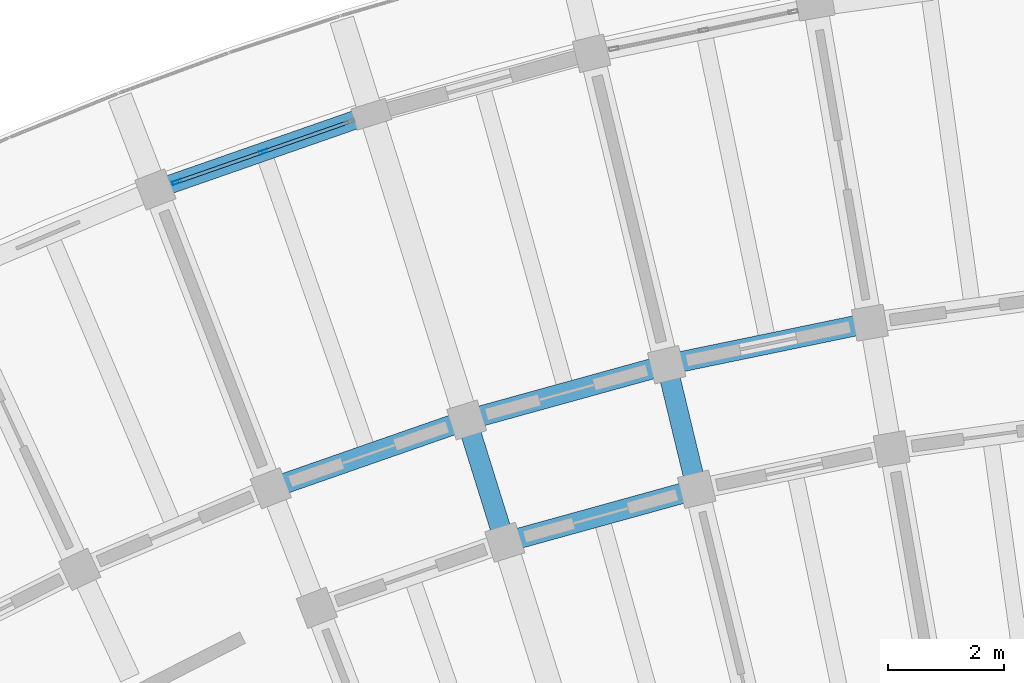
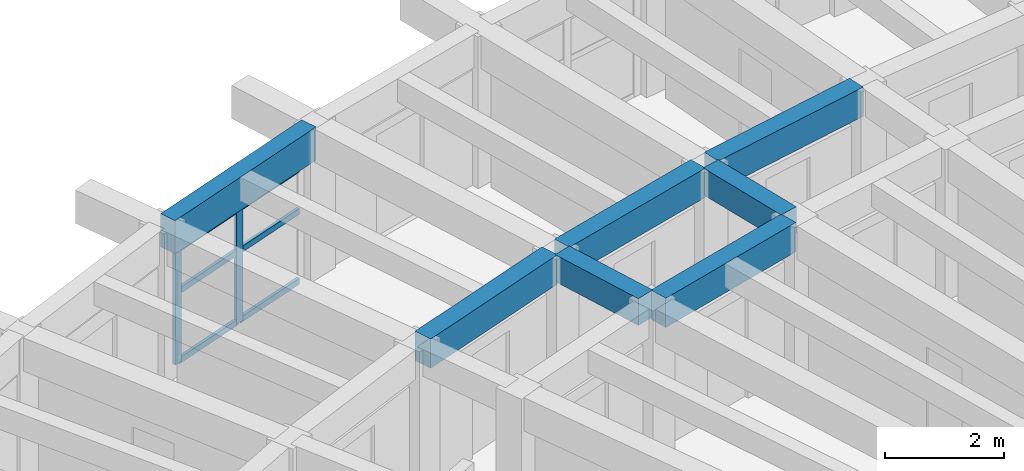
# One storey, part 20 of 96: 8 members, 7 beams, 1 element without a shape of its own.
"""IFC4 building model written with IfcOpenShell, lengths in metres."""

from ifc_helpers import new_model, si_unit, direction, frame, origin, origin_2d, place, context, subcontext, project, spatial, rectangle, hollow_rectangle, extrude, material, material_profile, profile_set, type_object, element, aggregate, save


model = new_model("IFC4")

# Units and contexts
model_context = context("Model", 3, precision=1e-05, world=origin(), true_north=direction((0.0, 1.0)))
body_context = subcontext(model_context, "Body", "Model", "MODEL_VIEW")
ifc_project = project(units=[si_unit("LENGTHUNIT", "METRE"), si_unit("AREAUNIT", "SQUARE_METRE"), si_unit("VOLUMEUNIT", "CUBIC_METRE"), si_unit("PLANEANGLEUNIT", "RADIAN"), si_unit("MASSUNIT", "GRAM", prefix="KILO")], contexts=[model_context])

# Site, building, storey
site_placement = place(None, origin())
site = spatial("IfcSite", under=ifc_project, at=site_placement, CompositionType="ELEMENT")
building_placement = place(site_placement, origin())
building = spatial("IfcBuilding", under=site, at=building_placement, Name="Tanwirah Colonnade Gardens", CompositionType="ELEMENT")
storey_placement = place(building_placement, frame((0.0, 0.0, 12.199951171875)))
storey = spatial("IfcBuildingStorey", under=building, at=storey_placement, Name="L03", CompositionType="ELEMENT", Elevation=12.199951171875)

# Beams
ifc_material_1 = material(Name="Precast concrete C40/50", Category="concrete")
ifc_material_profile_1 = material_profile(ifc_material_1, rectangle(XDim=0.35009765625, YDim=0.550048828125, at=origin_2d()), Name="PC-BM 350x550")
ifc_profile_set_1 = profile_set([ifc_material_profile_1], Name="Precast concrete C40/50")
beam_type_1 = type_object("IfcBeamType", Name="BM-PC350A", PredefinedType="BEAM", material=ifc_profile_set_1)
beam_1_placement = place(storey_placement, frame((52.811767578125, 110.75146484375, 2.830078125), z_axis=(-0.234364199778, 0.972148868159, 0.0), x_axis=(-0.972148868159, -0.234364199778, 0.0)))
element("IfcBeam", 1, at=beam_1_placement, inside=storey, type_object=beam_type_1, Name="Block A L03 Corridor Tie Beam 2", PredefinedType="BEAM", context=body_context, shape_type="SweptSolid", body=[
    extrude(rectangle(XDim=0.35009765625, YDim=0.550048828125, at=origin_2d()), origin(), (0.0, 0.0, 1.0), 1.900146484375),
])
beam_2_placement = place(storey_placement, frame((49.507568359375, 109.838623046875, 2.830078125), z_axis=(-0.297857918398, 0.954610213882, 0.0), x_axis=(-0.954610213882, -0.297857918398, 0.0)))
element("IfcBeam", 2, at=beam_2_placement, inside=storey, type_object=beam_type_1, Name="Block A L03 Corridor Tie Beam 3", PredefinedType="BEAM", context=body_context, shape_type="SweptSolid", body=[
    extrude(rectangle(XDim=0.35009765625, YDim=0.550048828125, at=origin_2d()), origin(), (0.0, 0.0, 1.0), 1.89990234375),
])
ifc_material_profile_2 = material_profile(ifc_material_1, rectangle(XDim=0.35009765625, YDim=0.60009765625, at=origin_2d()), Name="PC-BM 350x600")
ifc_profile_set_2 = profile_set([ifc_material_profile_2], Name="Precast concrete C40/50")
beam_type_2 = type_object("IfcBeamType", Name="BM-PC350B", PredefinedType="BEAM", material=ifc_profile_set_2)
beam_3_placement = place(storey_placement, frame((55.673828125, 113.4345703125, 2.804931640625), z_axis=(-0.979335599813, -0.202241892146, 0.0), x_axis=(0.202241892146, -0.979335599813, 0.0)))
element("IfcBeam", 3, at=beam_3_placement, inside=storey, type_object=beam_type_2, Name="Block A L03 Circumferential Beam 1-R2", PredefinedType="BEAM", context=body_context, shape_type="SweptSolid", body=[
    extrude(rectangle(XDim=0.35009765625, YDim=0.60009765625, at=origin_2d()), origin(), (0.0, 0.0, 1.0), 3.262939453125),
])
beam_4_placement = place(storey_placement, frame((52.702392578125, 110.565673828125, 2.804931640625), z_axis=(-0.963894965188, -0.266282737114, 0.0), x_axis=(0.266282737114, -0.963894965188, 0.0)))
element("IfcBeam", 4, at=beam_4_placement, inside=storey, type_object=beam_type_2, Name="Block A L03 Circumferential Beam 2-R1", PredefinedType="BEAM", context=body_context, shape_type="SweptSolid", body=[
    extrude(rectangle(XDim=0.35009765625, YDim=0.60009765625, at=origin_2d()), origin(), (0.0, 0.0, 1.0), 3.1181640625),
])
beam_5_placement = place(storey_placement, frame((52.186767578125, 112.704345703125, 2.804931640625), z_axis=(-0.9638953302, -0.266281415833, 0.0), x_axis=(0.266281415833, -0.9638953302, 0.0)))
element("IfcBeam", 5, at=beam_5_placement, inside=storey, type_object=beam_type_2, Name="Block A L03 Circumferential Beam 2-R2", PredefinedType="BEAM", context=body_context, shape_type="SweptSolid", body=[
    extrude(rectangle(XDim=0.35009765625, YDim=0.60009765625, at=origin_2d()), origin(), (0.0, 0.0, 1.0), 3.26318359375),
])
beam_6_placement = place(storey_placement, frame((48.755126953125, 111.74609375, 2.804931640625), z_axis=(-0.944231021702, -0.329283734272, 0.0), x_axis=(0.329283734272, -0.944231021702, 0.0)))
element("IfcBeam", 6, at=beam_6_placement, inside=storey, type_object=beam_type_2, Name="Block A L03 Circumferential Beam 3-R2", PredefinedType="BEAM", context=body_context, shape_type="SweptSolid", body=[
    extrude(rectangle(XDim=0.35009765625, YDim=0.60009765625, at=origin_2d()), origin(), (0.0, 0.0, 1.0), 3.262939453125),
])

# Curtain wall, members
ifc_material_2 = material(Name="Bronze-anodised aluminium and solar-control low-E glass", Category="aluminium")
curtain_wall_type = type_object("IfcCurtainWallType", Name="CW-LOB", PredefinedType="NOTDEFINED", material=ifc_material_2)
curtain_wall_placement = place(storey_placement, origin())
curtain_wall = element("IfcCurtainWall", 7, at=curtain_wall_placement, inside=storey, type_object=curtain_wall_type, Name="Curtain Wall CW-A-L03-OUT-03", PredefinedType="NOTDEFINED")
ifc_material_3 = material(Name="Bronze-anodised aluminium", Category="aluminium")
ifc_material_profile_3 = material_profile(ifc_material_3, hollow_rectangle(XDim=0.06005859375, YDim=0.159912109375, WallThickness=0.00390625, at=origin_2d()), Name="CW-MUL 60x160x4")
ifc_profile_set_3 = profile_set([ifc_material_profile_3], Name="Bronze-anodised aluminium")
member_type_1 = type_object("IfcMemberType", Name="CWM-60x160", PredefinedType="MULLION", material=ifc_profile_set_3)
member_1_placement = place(storey_placement, frame((45.40478515625, 116.3994140625, 0.0), z_axis=(0.0, 0.0, 1.0), x_axis=(0.329233165694, -0.944248655073, 0.0)))
member_1 = element("IfcMember", 8, at=member_1_placement, type_object=member_type_1, Name="CW-LOB mullion 2", PredefinedType="MULLION", context=body_context, shape_type="SweptSolid", body=[
    extrude(hollow_rectangle(XDim=0.06005859375, YDim=0.159912109375, WallThickness=0.00390625, at=origin_2d()), origin(), (0.0, 0.0, 1.0), 2.35498046875),
])
member_2_placement = place(storey_placement, frame((43.919677734375, 115.881591796875, 0.0), z_axis=(0.0, 0.0, 1.0), x_axis=(0.329233165694, -0.944248655073, 0.0)))
member_2 = element("IfcMember", 9, at=member_2_placement, type_object=member_type_1, Name="CW-LOB mullion 3", PredefinedType="MULLION", context=body_context, shape_type="SweptSolid", body=[
    extrude(hollow_rectangle(XDim=0.06005859375, YDim=0.159912109375, WallThickness=0.00390625, at=origin_2d()), origin(), (0.0, 0.0, 1.0), 2.35498046875),
])
ifc_material_profile_4 = material_profile(ifc_material_3, hollow_rectangle(XDim=0.06005859375, YDim=0.1201171875, WallThickness=0.00390625, at=origin_2d()), Name="CW-TRN 60x120x4")
ifc_profile_set_4 = profile_set([ifc_material_profile_4], Name="Bronze-anodised aluminium")
member_type_2 = type_object("IfcMemberType", Name="CWT-60x120", PredefinedType="USERDEFINED", material=ifc_profile_set_4)
member_3_placement = place(storey_placement, frame((46.861572265625, 116.907470703125, 0.030029296875), z_axis=(-0.94425269288, -0.329221584938, 0.0), x_axis=(0.329221584938, -0.94425269288, 0.0)))
member_3 = element("IfcMember", 10, at=member_3_placement, type_object=member_type_2, Name="CW-LOB transom 1.1", ObjectType="TRANSOM", PredefinedType="USERDEFINED", context=body_context, shape_type="SweptSolid", body=[
    extrude(hollow_rectangle(XDim=0.06005859375, YDim=0.1201171875, WallThickness=0.00390625, at=origin_2d()), origin(), (0.0, 0.0, 1.0), 1.5126953125),
])
member_4_placement = place(storey_placement, frame((46.861572265625, 116.907470703125, 1.460205078125), z_axis=(-0.94425269288, -0.329221584938, 0.0), x_axis=(0.329221584938, -0.94425269288, 0.0)))
member_4 = element("IfcMember", 11, at=member_4_placement, type_object=member_type_2, Name="CW-LOB transom 1.2", ObjectType="TRANSOM", PredefinedType="USERDEFINED", context=body_context, shape_type="SweptSolid", body=[
    extrude(hollow_rectangle(XDim=0.06005859375, YDim=0.1201171875, WallThickness=0.00390625, at=origin_2d()), origin(), (0.0, 0.0, 1.0), 1.5126953125),
])
member_5_placement = place(storey_placement, frame((46.861572265625, 116.907470703125, 2.324951171875), z_axis=(-0.94425269288, -0.329221584938, 0.0), x_axis=(0.329221584938, -0.94425269288, 0.0)))
member_5 = element("IfcMember", 12, at=member_5_placement, type_object=member_type_2, Name="CW-LOB transom 1.3", ObjectType="TRANSOM", PredefinedType="USERDEFINED", context=body_context, shape_type="SweptSolid", body=[
    extrude(hollow_rectangle(XDim=0.06005859375, YDim=0.1201171875, WallThickness=0.00390625, at=origin_2d()), origin(), (0.0, 0.0, 1.0), 1.5126953125),
])
member_6_placement = place(storey_placement, frame((45.37646484375, 116.3896484375, 0.030029296875), z_axis=(-0.94425269288, -0.329221584938, 0.0), x_axis=(0.329221584938, -0.94425269288, 0.0)))
member_6 = element("IfcMember", 13, at=member_6_placement, type_object=member_type_2, Name="CW-LOB transom 2.1", ObjectType="TRANSOM", PredefinedType="USERDEFINED", context=body_context, shape_type="SweptSolid", body=[
    extrude(hollow_rectangle(XDim=0.06005859375, YDim=0.1201171875, WallThickness=0.00390625, at=origin_2d()), origin(), (0.0, 0.0, 1.0), 1.5126953125),
])
member_7_placement = place(storey_placement, frame((45.37646484375, 116.3896484375, 1.460205078125), z_axis=(-0.94425269288, -0.329221584938, 0.0), x_axis=(0.329221584938, -0.94425269288, 0.0)))
member_7 = element("IfcMember", 14, at=member_7_placement, type_object=member_type_2, Name="CW-LOB transom 2.2", ObjectType="TRANSOM", PredefinedType="USERDEFINED", context=body_context, shape_type="SweptSolid", body=[
    extrude(hollow_rectangle(XDim=0.06005859375, YDim=0.1201171875, WallThickness=0.00390625, at=origin_2d()), origin(), (0.0, 0.0, 1.0), 1.5126953125),
])
member_8_placement = place(storey_placement, frame((45.37646484375, 116.3896484375, 2.324951171875), z_axis=(-0.94425269288, -0.329221584938, 0.0), x_axis=(0.329221584938, -0.94425269288, 0.0)))
member_8 = element("IfcMember", 15, at=member_8_placement, type_object=member_type_2, Name="CW-LOB transom 2.3", ObjectType="TRANSOM", PredefinedType="USERDEFINED", context=body_context, shape_type="SweptSolid", body=[
    extrude(hollow_rectangle(XDim=0.06005859375, YDim=0.1201171875, WallThickness=0.00390625, at=origin_2d()), origin(), (0.0, 0.0, 1.0), 1.5126953125),
])
aggregate(curtain_wall, [member_1, member_2, member_3, member_4, member_5, member_6, member_7, member_8])

# Beam
ifc_material_4 = material(Name="Precast concrete C45/55", Category="concrete")
ifc_material_profile_5 = material_profile(ifc_material_4, rectangle(XDim=0.320068359375, YDim=0.679931640625, at=origin_2d()), Name="PC-SP 320x680")
ifc_profile_set_5 = profile_set([ifc_material_profile_5], Name="Precast concrete C45/55")
beam_type_3 = type_object("IfcBeamType", Name="SP-PC320", PredefinedType="SPANDREL", material=ifc_profile_set_5)
beam_7_placement = place(storey_placement, frame((47.11669921875, 116.996337890625, 2.76513671875), z_axis=(-0.944236700093, -0.329267450863, 0.0), x_axis=(0.329267450863, -0.944236700093, 0.0)))
element("IfcBeam", 16, at=beam_7_placement, inside=storey, type_object=beam_type_3, Name="Block A L03 Circumferential Beam 3-R3", PredefinedType="SPANDREL", context=body_context, shape_type="SweptSolid", body=[
    extrude(rectangle(XDim=0.320068359375, YDim=0.679931640625, at=origin_2d()), origin(), (0.0, 0.0, 1.0), 3.625732421875),
])

save(model, "model.ifc")
